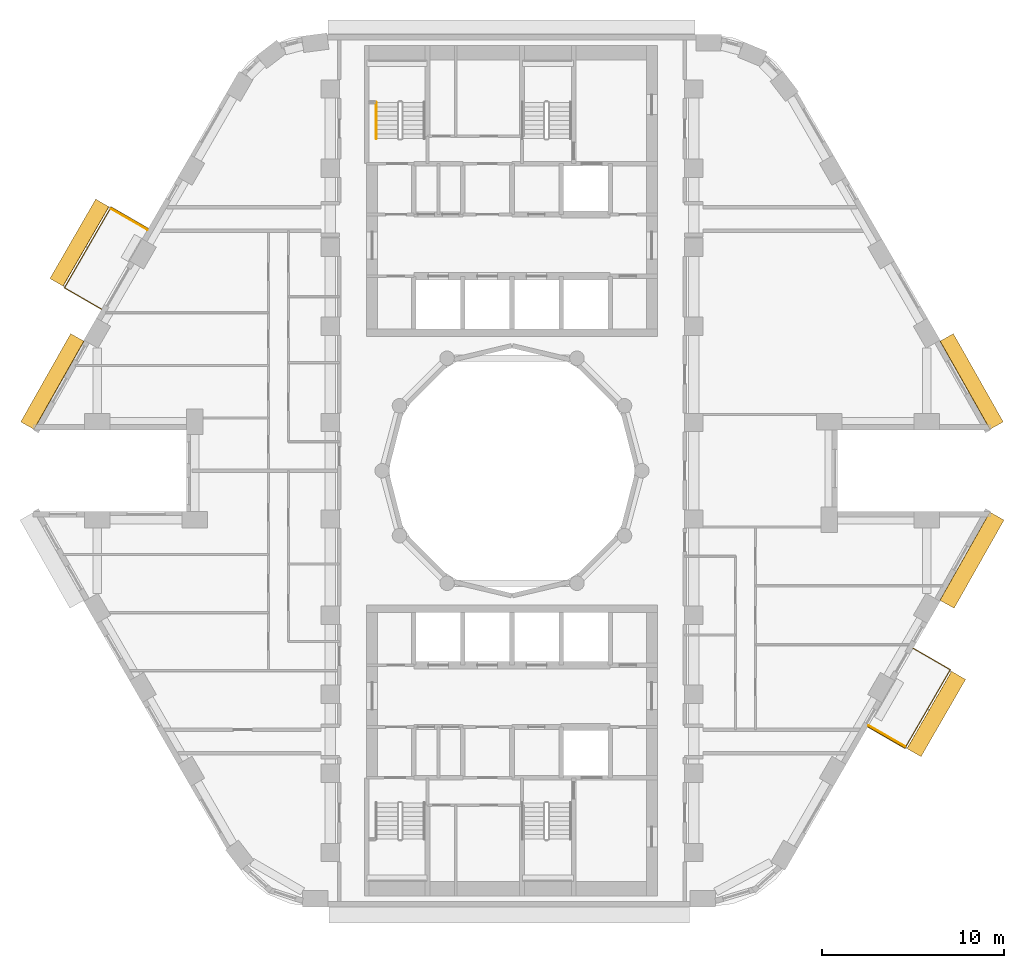
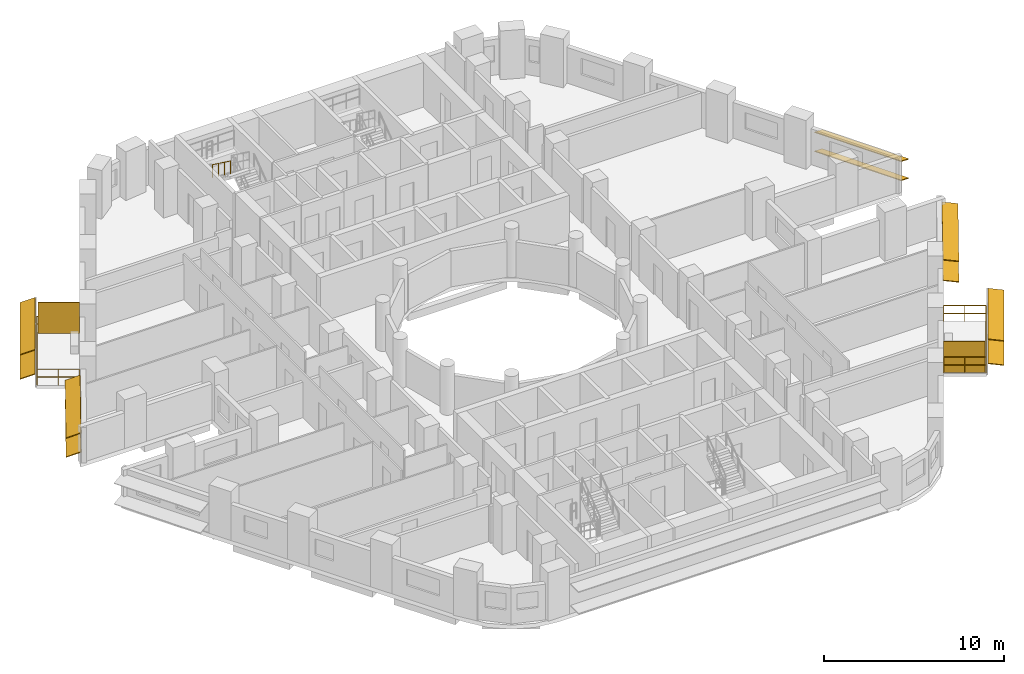
# One storey, part 13 of 14: 12 shading devices, 3 railings.
"""IFC4 building model written with IfcOpenShell, lengths in metres."""

from ifc_helpers import new_model, si_unit, direction, frame, origin, origin_2d, place, context, subcontext, project, spatial, rectangle, circle, extrude, material, layer, layer_set, material_profile, profile_set, type_object, element, save


model = new_model("IFC4")

# Units and contexts
model_context = context("Model", 3, precision=1e-05, world=origin(), true_north=direction((0.0, 1.0)))
body_context = subcontext(model_context, "Body", "Model", "MODEL_VIEW")
ifc_project = project(units=[si_unit("LENGTHUNIT", "METRE"), si_unit("AREAUNIT", "SQUARE_METRE"), si_unit("VOLUMEUNIT", "CUBIC_METRE"), si_unit("PLANEANGLEUNIT", "RADIAN"), si_unit("MASSUNIT", "GRAM", prefix="KILO")], contexts=[model_context])

# Site, building, storey
site_placement = place(None, origin())
site = spatial("IfcSite", under=ifc_project, at=site_placement, CompositionType="ELEMENT")
building_placement = place(site_placement, origin())
building = spatial("IfcBuilding", under=site, at=building_placement, Name="Nakaniwa Court", CompositionType="ELEMENT")
storey_placement = place(building_placement, frame((0.0, 0.0, 110.699951171875)))
storey = spatial("IfcBuildingStorey", under=building, at=storey_placement, Name="L29", CompositionType="ELEMENT", Elevation=110.699951171875)

# Railings
ifc_material_1 = material(Name="Black powder-coated steel flat bar balustrade S275", Category="steel")
railing_type_1 = type_object("IfcRailingType", Name="Black metal balcony guard 1100", PredefinedType="GUARDRAIL", material=ifc_material_1)
railing_1_placement = place(storey_placement, frame((59.98046875, 93.325439453125, -0.050048828125)))
element("IfcRailing", 1, at=railing_1_placement, inside=storey, type_object=railing_type_1, Name="L29 balcony guard 01", PredefinedType="GUARDRAIL", context=body_context, shape_type="SweptSolid", body=[
    extrude(circle(Radius=0.02392578125, at=origin_2d()), frame((0.0, 0.0, 1.076171875), z_axis=(-0.866025363618, 0.50000006957, 0.0), x_axis=(-0.50000006957, -0.866025363618, 0.0)), (0.0, 0.0, 1.0), 2.35986328125),
    extrude(circle(Radius=0.02392578125, at=origin_2d()), frame((0.0, 0.0, 0.550048828125), z_axis=(-0.866025363618, 0.50000006957, 0.0), x_axis=(-0.50000006957, -0.866025363618, 0.0)), (0.0, 0.0, 1.0), 2.35986328125),
    extrude(circle(Radius=0.02392578125, at=origin_2d()), frame((-2.043701171875, 1.179931640625, 1.076171875), z_axis=(-0.499997384719, -0.866026913713, 0.0), x_axis=(0.866026913713, -0.499997384719, 0.0)), (0.0, 0.0, 1.0), 5.12451171875),
    extrude(circle(Radius=0.02392578125, at=origin_2d()), frame((-2.043701171875, 1.179931640625, 0.550048828125), z_axis=(-0.499997384719, -0.866026913713, 0.0), x_axis=(0.866026913713, -0.499997384719, 0.0)), (0.0, 0.0, 1.0), 5.12451171875),
    extrude(circle(Radius=0.02392578125, at=origin_2d()), frame((-4.60595703125, -3.258056640625, 1.076171875), z_axis=(0.865980564943, -0.500077655111, 0.0), x_axis=(0.500077655111, 0.865980564943, 0.0)), (0.0, 0.0, 1.0), 2.35986328125),
    extrude(circle(Radius=0.02392578125, at=origin_2d()), frame((-4.60595703125, -3.258056640625, 0.550048828125), z_axis=(0.865980564943, -0.500077655111, 0.0), x_axis=(0.500077655111, 0.865980564943, 0.0)), (0.0, 0.0, 1.0), 2.35986328125),
    extrude(circle(Radius=0.02099609375, at=origin_2d()), origin(), (0.0, 0.0, 1.0), 1.052001953125),
    extrude(circle(Radius=0.02099609375, at=origin_2d()), frame((-1.02197265625, 0.58984375, 0.0)), (0.0, 0.0, 1.0), 1.052001953125),
    extrude(circle(Radius=0.02099609375, at=origin_2d()), frame((-2.043701171875, 1.179931640625, 0.0)), (0.0, 0.0, 1.0), 1.052001953125),
    extrude(circle(Radius=0.02099609375, at=origin_2d()), frame((-2.55615234375, 0.292236328125, 0.0)), (0.0, 0.0, 1.0), 1.052001953125),
    extrude(circle(Radius=0.02099609375, at=origin_2d()), frame((-3.068603515625, -0.59521484375, 0.0)), (0.0, 0.0, 1.0), 1.052001953125),
    extrude(circle(Radius=0.02099609375, at=origin_2d()), frame((-3.5810546875, -1.48291015625, 0.0)), (0.0, 0.0, 1.0), 1.052001953125),
    extrude(circle(Radius=0.02099609375, at=origin_2d()), frame((-4.093505859375, -2.370361328125, 0.0)), (0.0, 0.0, 1.0), 1.052001953125),
    extrude(circle(Radius=0.02099609375, at=origin_2d()), frame((-4.60595703125, -3.258056640625, 0.0)), (0.0, 0.0, 1.0), 1.052001953125),
    extrude(circle(Radius=0.02099609375, at=origin_2d()), frame((-3.583984375, -3.84814453125, 0.0)), (0.0, 0.0, 1.0), 1.052001953125),
    extrude(circle(Radius=0.02099609375, at=origin_2d()), frame((-2.562255859375, -4.438232421875, 0.0)), (0.0, 0.0, 1.0), 1.052001953125),
])
railing_2_placement = place(storey_placement, frame((99.578369140625, 65.910400390625, -0.050048828125)))
element("IfcRailing", 2, at=railing_2_placement, inside=storey, type_object=railing_type_1, Name="L29 balcony guard 02", PredefinedType="GUARDRAIL", context=body_context, shape_type="SweptSolid", body=[
    extrude(circle(Radius=0.02392578125, at=origin_2d()), frame((0.0, 0.0, 1.076171875), z_axis=(0.865980564943, -0.500077655111, 0.0), x_axis=(0.500077655111, 0.865980564943, 0.0)), (0.0, 0.0, 1.0), 2.35986328125),
    extrude(circle(Radius=0.02392578125, at=origin_2d()), frame((0.0, 0.0, 0.550048828125), z_axis=(0.865980564943, -0.500077655111, 0.0), x_axis=(0.500077655111, 0.865980564943, 0.0)), (0.0, 0.0, 1.0), 2.35986328125),
    extrude(circle(Radius=0.02392578125, at=origin_2d()), frame((2.043701171875, -1.18017578125, 1.076171875), z_axis=(0.499944127216, 0.866057659548, 0.0), x_axis=(-0.866057659548, 0.499944127216, 0.0)), (0.0, 0.0, 1.0), 4.9892578125),
    extrude(circle(Radius=0.02392578125, at=origin_2d()), frame((2.043701171875, -1.18017578125, 0.550048828125), z_axis=(0.499944127216, 0.866057659548, 0.0), x_axis=(-0.866057659548, 0.499944127216, 0.0)), (0.0, 0.0, 1.0), 4.9892578125),
    extrude(circle(Radius=0.02392578125, at=origin_2d()), frame((4.5380859375, 3.140869140625, 1.076171875), z_axis=(-0.866025363618, 0.50000006957, 0.0), x_axis=(-0.50000006957, -0.866025363618, 0.0)), (0.0, 0.0, 1.0), 2.35986328125),
    extrude(circle(Radius=0.02392578125, at=origin_2d()), frame((4.5380859375, 3.140869140625, 0.550048828125), z_axis=(-0.866025363618, 0.50000006957, 0.0), x_axis=(-0.50000006957, -0.866025363618, 0.0)), (0.0, 0.0, 1.0), 2.35986328125),
    extrude(circle(Radius=0.02099609375, at=origin_2d()), origin(), (0.0, 0.0, 1.0), 1.052001953125),
    extrude(circle(Radius=0.02099609375, at=origin_2d()), frame((1.02197265625, -0.590087890625, 0.0)), (0.0, 0.0, 1.0), 1.052001953125),
    extrude(circle(Radius=0.02099609375, at=origin_2d()), frame((2.043701171875, -1.18017578125, 0.0)), (0.0, 0.0, 1.0), 1.052001953125),
    extrude(circle(Radius=0.02099609375, at=origin_2d()), frame((2.54248046875, -0.31591796875, 0.0)), (0.0, 0.0, 1.0), 1.052001953125),
    extrude(circle(Radius=0.02099609375, at=origin_2d()), frame((3.04150390625, 0.54833984375, 0.0)), (0.0, 0.0, 1.0), 1.052001953125),
    extrude(circle(Radius=0.02099609375, at=origin_2d()), frame((3.540283203125, 1.412353515625, 0.0)), (0.0, 0.0, 1.0), 1.052001953125),
    extrude(circle(Radius=0.02099609375, at=origin_2d()), frame((4.039306640625, 2.276611328125, 0.0)), (0.0, 0.0, 1.0), 1.052001953125),
    extrude(circle(Radius=0.02099609375, at=origin_2d()), frame((4.5380859375, 3.140869140625, 0.0)), (0.0, 0.0, 1.0), 1.052001953125),
    extrude(circle(Radius=0.02099609375, at=origin_2d()), frame((3.51611328125, 3.73095703125, 0.0)), (0.0, 0.0, 1.0), 1.052001953125),
    extrude(circle(Radius=0.02099609375, at=origin_2d()), frame((2.494384765625, 4.32080078125, 0.0)), (0.0, 0.0, 1.0), 1.052001953125),
])

# Shading devices
ifc_material_2 = material(Name="Black powder-coated aluminium slat screen", Category="aluminium")
ifc_layer = layer(ifc_material_2, 0.0400390625)
ifc_layer_set = layer_set([ifc_layer], Name="Black powder-coated aluminium slat screen")
shading_device_type_1 = type_object("IfcShadingDeviceType", Name="Koshi screen black metal", PredefinedType="USERDEFINED", material=ifc_layer_set)
for number, where, z_axis, x_axis, name in (
    (3, (58.940185546875, 93.83349609375, -0.050048828125), (0.0, 0.0, 1.0), (-0.499974304289, -0.866040238702, 0.0), "L29 balcony SCREEN 01 W"),
    (4, (100.618408203125, 65.402099609375, -0.050048828125), (0.0, 0.0, 1.0), (0.499974304289, 0.866040238702, 0.0), "L29 balcony SCREEN 02 W"),
):
    element("IfcShadingDevice", number, at=place(storey_placement, frame(where, z_axis=z_axis, x_axis=x_axis)), inside=storey, type_object=shading_device_type_1, Name=name, ObjectType="KOSHI SCREEN", PredefinedType="USERDEFINED", context=body_context, shape_type="SweptSolid", body=[
        extrude(rectangle(XDim=0.0400390625, YDim=2.31005859375, at=origin_2d()), origin(), (0.0, 0.0, 1.0), 2.10009765625),
    ])
ifc_material_3 = material(Name="Perforated charcoal ceramic louvre blade")
ifc_material_profile = material_profile(ifc_material_3, rectangle(XDim=0.89990234375, YDim=0.050048828125, at=origin_2d()), Name="Perforated ceramic louvre blade")
ifc_profile_set = profile_set([ifc_material_profile], Name="Perforated charcoal ceramic louvre blade")
shading_device_type_2 = type_object("IfcShadingDeviceType", Name="Perforated ceramic louvre blade", PredefinedType="JALOUSIE", material=ifc_profile_set)
for number, where, z_axis, x_axis, name in (
    (5, (57.4619140625, 94.7333984375, 0.5), (-0.499975206699, -0.86603971773, 0.0), (0.800116369553, -0.461916860232, 0.382683432365), "L29 perforated ceramic louvre blade 01 1"),
    (6, (57.4619140625, 94.7333984375, 2.150146484375), (-0.499975206699, -0.86603971773, 0.0), (0.800116369553, -0.461916860232, 0.382683432365), "L29 perforated ceramic louvre blade 01 2"),
):
    element("IfcShadingDevice", number, at=place(storey_placement, frame(where, z_axis=z_axis, x_axis=x_axis)), inside=storey, type_object=shading_device_type_2, Name=name, PredefinedType="JALOUSIE", context=body_context, shape_type="SweptSolid", body=[
        extrude(rectangle(XDim=0.89990234375, YDim=0.050048828125, at=origin_2d()), origin(), (0.0, 0.0, 1.0), 5.044677734375),
    ])
for number, where, z_axis, x_axis, name in (
    (7, (102.117919921875, 64.490234375, 0.5), (0.49996353595, 0.86604645529, 0.0), (-0.858637307808, 0.495686278592, 0.13052619222), "L29 perforated ceramic louvre blade 02 1"),
    (8, (102.117919921875, 64.490234375, 2.150146484375), (0.49996353595, 0.86604645529, 0.0), (-0.858637307808, 0.495686278592, 0.13052619222), "L29 perforated ceramic louvre blade 02 2"),
):
    element("IfcShadingDevice", number, at=place(storey_placement, frame(where, z_axis=z_axis, x_axis=x_axis)), inside=storey, type_object=shading_device_type_2, Name=name, PredefinedType="JALOUSIE", context=body_context, shape_type="SweptSolid", body=[
        extrude(rectangle(XDim=0.89990234375, YDim=0.050048828125, at=origin_2d()), origin(), (0.0, 0.0, 1.0), 4.908935546875),
    ])
for number, where, z_axis, x_axis, name in (
    (9, (106.662353515625, 82.480224609375, 0.550048828125), (-0.492438058427, 0.870347493024, 0.0), (-0.804676322539, -0.455281653718, 0.38107037635), "L29 perforated ceramic louvre blade w02 1"),
    (10, (106.662353515625, 82.480224609375, 1.845458984375), (-0.492438058427, 0.870347493024, 0.0), (-0.804676322539, -0.455281653718, 0.38107037635), "L29 perforated ceramic louvre blade w02 2"),
    (11, (56.083740234375, 87.333740234375, 0.550048828125), (-0.492438058427, -0.870347493024, 0.0), (0.804676322539, -0.455281653718, 0.38107037635), "L29 perforated ceramic louvre blade w14 1"),
    (12, (56.083740234375, 87.333740234375, 1.845458984375), (-0.492438058427, -0.870347493024, 0.0), (0.804676322539, -0.455281653718, 0.38107037635), "L29 perforated ceramic louvre blade w14 2"),
    (13, (103.93701171875, 72.654541015625, 0.550048828125), (0.492438058427, 0.870347493024, 0.0), (-0.862701960504, 0.488112256124, 0.132256390257), "L29 perforated ceramic louvre blade w32 1"),
    (14, (103.93701171875, 72.654541015625, 1.955810546875), (0.492438058427, 0.870347493024, 0.0), (-0.862701960504, 0.488112256124, 0.132256390257), "L29 perforated ceramic louvre blade w32 2"),
):
    element("IfcShadingDevice", number, at=place(storey_placement, frame(where, z_axis=z_axis, x_axis=x_axis)), inside=storey, type_object=shading_device_type_2, Name=name, PredefinedType="JALOUSIE", context=body_context, shape_type="SweptSolid", body=[
        extrude(rectangle(XDim=0.89990234375, YDim=0.050048828125, at=origin_2d()), origin(), (0.0, 0.0, 1.0), 5.576416015625),
    ])

# Railing
ifc_material_4 = material(Name="Black powder coated steel handrail", Category="steel")
railing_type_2 = type_object("IfcRailingType", Name="Stair handrail 900", PredefinedType="HANDRAIL", material=ifc_material_4)
railing_3_placement = place(storey_placement, frame((72.52490234375, 100.27490234375, 1.83349609375)))
element("IfcRailing", 15, at=railing_3_placement, inside=storey, type_object=railing_type_2, Name="L29 ST1 stair handrail 2", PredefinedType="HANDRAIL", context=body_context, shape_type="SweptSolid", body=[
    extrude(circle(Radius=0.02392578125, at=origin_2d()), frame((0.0, 0.0, 0.8759765625), z_axis=(0.0, -0.806426902644, 0.591333789573), x_axis=(1.0, 0.0, 0.0)), (0.0, 0.0, 1.0), 2.47998046875),
    extrude(circle(Radius=0.02099609375, at=origin_2d()), origin(), (0.0, 0.0, 1.0), 0.851806640625),
    extrude(circle(Radius=0.02099609375, at=origin_2d()), frame((0.0, -0.666748046875, 0.48876953125)), (0.0, 0.0, 1.0), 0.851806640625),
    extrude(circle(Radius=0.02099609375, at=origin_2d()), frame((0.0, -1.333251953125, 0.977783203125)), (0.0, 0.0, 1.0), 0.851806640625),
    extrude(circle(Radius=0.02099609375, at=origin_2d()), frame((0.0, -2.0, 1.466552734375)), (0.0, 0.0, 1.0), 0.851806640625),
])

save(model, "model.ifc")
